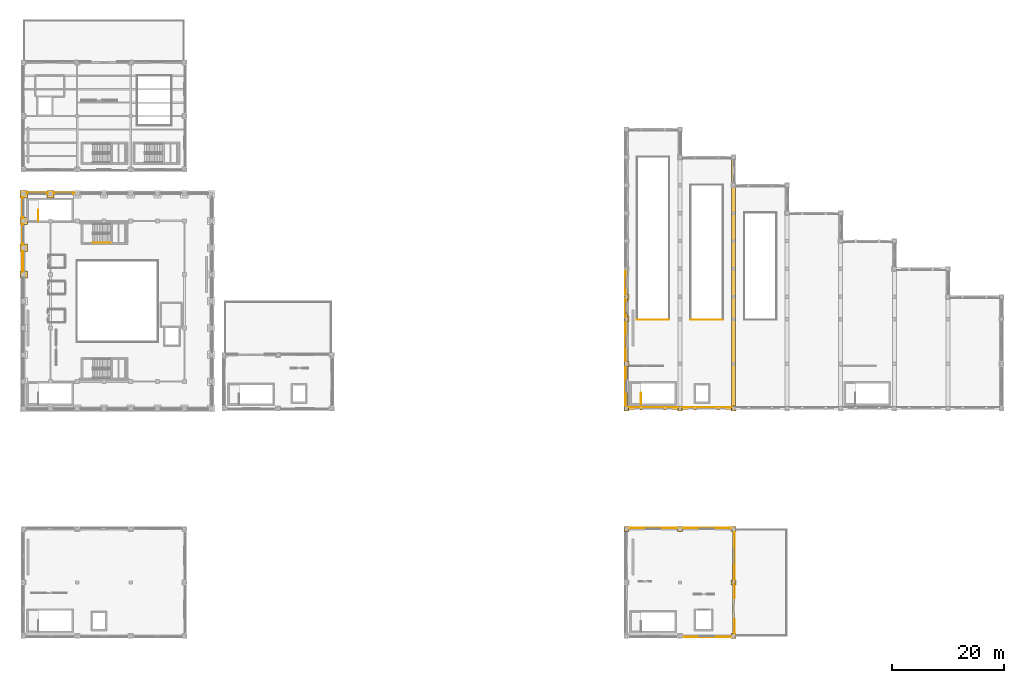
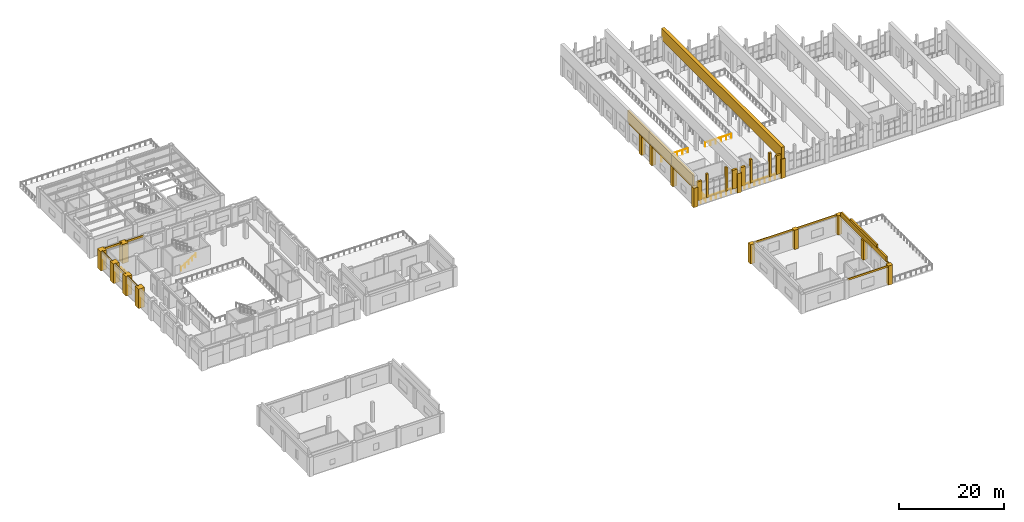
# One storey, part 39 of 46: 45 coverings, 7 railings.
"""IFC4 building model written with IfcOpenShell, lengths in metres."""

import ifcopenshell
import ifcopenshell.guid

model = None  # the IFC model being written
_history = None  # IfcOwnerHistory: only IFC2X3 demands one
_inside = {}  # id of a spatial element -> (the spatial element, [elements in it])
_under = {}  # id of a project, library or spatial element -> (it, [spatial elements below it])
_declared = {}  # id of a project -> (the project, [libraries it declares])
_typed = {}  # id of a type object -> (the type object, [elements of that type])
_made_of = {}  # id of a material, layer set ... -> (it, [elements and type objects made of it])


def new_model(schema):
    """Start an empty IFC model of exactly this schema.

    Asked for "IFC4X3", IfcOpenShell would pick the latest addendum, in which some entities
    have other attributes; the version numbers below select the first issue.
    IFC2X3 requires an IfcOwnerHistory on every rooted entity: one is made here for all.
    """
    global model, _history
    if schema == "IFC4X3":
        model = ifcopenshell.file(schema_version=(4, 3, 0, 0))
    else:
        model = ifcopenshell.file(schema=schema)
    _inside.clear()
    _under.clear()
    _declared.clear()
    _typed.clear()
    _made_of.clear()
    _history = None
    if model.schema == "IFC2X3":
        org = make("IfcOrganization", Name="unknown")
        user = make(
            "IfcPersonAndOrganization",
            ThePerson=make("IfcPerson", FamilyName="unknown"),
            TheOrganization=org,
        )
        app = make(
            "IfcApplication",
            ApplicationDeveloper=org,
            Version="unknown",
            ApplicationFullName="unknown",
            ApplicationIdentifier="unknown",
        )
        _history = make(
            "IfcOwnerHistory",
            OwningUser=user,
            OwningApplication=app,
            ChangeAction="ADDED",
            CreationDate=0,
        )
    return model


def make(cls, **values):
    """One entity of the class cls with the attributes given. An attribute that is None is left unset."""
    return model.create_entity(
        cls, **{name: value for name, value in values.items() if value is not None}
    )


def rooted(cls, **values):
    """An entity with a GlobalId (a new one), such as an element, a storey or a relation."""
    return make(cls, GlobalId=ifcopenshell.guid.new(), OwnerHistory=_history, **values)


def si_unit(unit_type, name, prefix=None):
    """IfcSIUnit, for example si_unit("LENGTHUNIT", "METRE", prefix="MILLI")."""
    return make("IfcSIUnit", UnitType=unit_type, Prefix=prefix, Name=name)


def assignment(units):
    """IfcUnitAssignment: the units of a project."""
    return None if units is None else make("IfcUnitAssignment", Units=units)


def point(xyz):
    """IfcCartesianPoint."""
    return None if xyz is None else make("IfcCartesianPoint", Coordinates=xyz)


def direction(xyz):
    """IfcDirection."""
    return None if xyz is None else make("IfcDirection", DirectionRatios=xyz)


def frame(location, z_axis=None, x_axis=None):
    """IfcAxis2Placement3D, a coordinate frame: its origin and axes. An axis left out is left unset."""
    return make(
        "IfcAxis2Placement3D",
        Location=point(location),
        Axis=direction(z_axis),
        RefDirection=direction(x_axis),
    )


def frame_2d(location, x_axis=None):
    """IfcAxis2Placement2D, a coordinate frame in the plane: its origin and x axis."""
    return make(
        "IfcAxis2Placement2D", Location=point(location), RefDirection=direction(x_axis)
    )


def origin():
    """The frame at (0, 0, 0) with its axes left unset."""
    return frame((0.0, 0.0, 0.0))


def origin_2d():
    """The frame at (0, 0) in the plane with its x axis left unset."""
    return frame_2d((0.0, 0.0))


def place(relative_to, where):
    """IfcLocalPlacement: puts the frame where relative to a parent placement (None: the world)."""
    return make(
        "IfcLocalPlacement", PlacementRelTo=relative_to, RelativePlacement=where
    )


def context(
    kind, dimensions, precision=None, world=None, true_north=None, identifier=None
):
    """IfcGeometricRepresentationContext, for example the 3D "Model" context."""
    return make(
        "IfcGeometricRepresentationContext",
        ContextIdentifier=identifier,
        ContextType=kind,
        CoordinateSpaceDimension=dimensions,
        Precision=precision,
        WorldCoordinateSystem=world,
        TrueNorth=true_north,
    )


def subcontext(parent, identifier, kind, view, scale=None):
    """IfcGeometricRepresentationSubContext, for example "Body" below "Model"."""
    return make(
        "IfcGeometricRepresentationSubContext",
        ContextIdentifier=identifier,
        ContextType=kind,
        ParentContext=parent,
        TargetScale=scale,
        TargetView=view,
    )


def project(units=None, contexts=None):
    """IfcProject with its units and contexts."""
    return rooted(
        "IfcProject",
        Name="project",
        RepresentationContexts=contexts,
        UnitsInContext=assignment(units),
    )


def spatial(cls, under=None, at=None, **own):
    """A site, building, storey or space (cls), placed at a placement, below another one or the project."""
    s = rooted(cls, ObjectPlacement=at, **own)
    if under is not None:
        _under.setdefault(under.id(), (under, []))[1].append(s)
    return s


def polyline(points):
    """IfcPolyline through the points."""
    return make("IfcPolyline", Points=[point(p) for p in points])


def profile(cls, at=None, kind="AREA", **sizes):
    """A parametric profile (cls). Its sizes go by their IFC names, for example OverallWidth=200.0."""
    return make(cls, ProfileType=kind, Position=at, **sizes)


def circle(**sizes):
    """IfcCircleProfileDef."""
    return profile("IfcCircleProfileDef", **sizes)


def outline(outer, holes=None, kind="AREA"):
    """IfcArbitraryClosedProfileDef: a profile drawn as a closed curve; with holes, ...WithVoids."""
    if holes is None:
        return make("IfcArbitraryClosedProfileDef", ProfileType=kind, OuterCurve=outer)
    return make(
        "IfcArbitraryProfileDefWithVoids",
        ProfileType=kind,
        OuterCurve=outer,
        InnerCurves=holes,
    )


def extrude(swept, where, along, depth):
    """IfcExtrudedAreaSolid: the profile swept, set in the frame where, extruded along a direction by depth."""
    return make(
        "IfcExtrudedAreaSolid",
        SweptArea=swept,
        Position=where,
        ExtrudedDirection=direction(along),
        Depth=depth,
    )


def shape(context_of_items, identifier, shape_type, items):
    """IfcShapeRepresentation: the items that make up one representation, for example the "Body"."""
    return make(
        "IfcShapeRepresentation",
        ContextOfItems=context_of_items,
        RepresentationIdentifier=identifier,
        RepresentationType=shape_type,
        Items=items,
    )


def material(Name=None, Category=None):
    """IfcMaterial."""
    return make("IfcMaterial", Name=Name, Category=Category)


def layer(
    of_material, thickness, ventilated=None, Name=None, Category=None, Priority=None
):
    """IfcMaterialLayer: one layer of a wall or slab, of a material (None: an air gap)."""
    return make(
        "IfcMaterialLayer",
        Material=of_material,
        LayerThickness=thickness,
        IsVentilated=ventilated,
        Name=Name,
        Category=Category,
        Priority=Priority,
    )


def layer_set(layers, Name=None):
    """IfcMaterialLayerSet."""
    return make("IfcMaterialLayerSet", MaterialLayers=layers, LayerSetName=Name)


def made_of(thing, what):
    """Note that an element or type object is made of a material, layer set ...; save() writes the relation."""
    if what is not None:
        _made_of.setdefault(what.id(), (what, []))[1].append(thing)
    return thing


def type_object(cls, material=None, **own):
    """A type object (cls), such as IfcWallType, which elements share."""
    return made_of(rooted(cls, **own), material)


def element(
    cls,
    number,
    at=None,
    inside=None,
    cuts=None,
    type_object=None,
    material=None,
    context=None,
    identifier="Body",
    shape_type=None,
    held_by="IfcProductDefinitionShape",
    body=None,
    shapes=None,
    **own,
):
    """One element of the class cls, such as IfcWall. Its Tag is "e" and its number.

    at: its placement. inside: the storey or other place that contains it. cuts: it is an
    opening in that element (IfcRelVoidsElement). A single representation is given by context,
    identifier, shape_type and body (its items); several are given by shapes. held_by: the class
    of the entity that holds the representations. save() writes the other relations.
    """
    e = rooted(cls, Tag="e%d" % number, ObjectPlacement=at, **own)
    if body is not None:
        shapes = [shape(context, identifier, shape_type, body)]
    if shapes is not None:
        e.Representation = make(held_by, Representations=shapes)
    if inside is not None:
        _inside.setdefault(inside.id(), (inside, []))[1].append(e)
    if cuts is not None:
        rooted(
            "IfcRelVoidsElement", RelatingBuildingElement=cuts, RelatedOpeningElement=e
        )
    if type_object is not None:
        _typed.setdefault(type_object.id(), (type_object, []))[1].append(e)
    return made_of(e, material)


def aggregate(whole, parts):
    """IfcRelAggregates: a whole, such as a stair, and the parts it consists of."""
    return rooted("IfcRelAggregates", RelatingObject=whole, RelatedObjects=parts)


def save(model, path):
    """Write the relations noted so far, then the file.

    IfcRelAggregates (storeys below a building ...), IfcRelContainedInSpatialStructure (elements
    in a storey), IfcRelDefinesByType, IfcRelAssociatesMaterial and IfcRelDeclares: one each for
    every whole, place, type object, material and project.
    """
    for whole, parts in _under.values():
        aggregate(whole, parts)
    for where, things in _inside.values():
        rooted(
            "IfcRelContainedInSpatialStructure",
            RelatedElements=things,
            RelatingStructure=where,
        )
    for kind, things in _typed.values():
        rooted("IfcRelDefinesByType", RelatedObjects=things, RelatingType=kind)
    for what, things in _made_of.values():
        rooted("IfcRelAssociatesMaterial", RelatedObjects=things, RelatingMaterial=what)
    for by, libraries in _declared.values():
        rooted("IfcRelDeclares", RelatingContext=by, RelatedDefinitions=libraries)
    model.write(path)


model = new_model("IFC4")

# Units and contexts
model_context = context("Model", 3, precision=1e-05, world=origin(), true_north=direction((0.0, 1.0)))
body_context = subcontext(model_context, "Body", "Model", "MODEL_VIEW")
ifc_project = project(units=[si_unit("LENGTHUNIT", "METRE"), si_unit("AREAUNIT", "SQUARE_METRE"), si_unit("VOLUMEUNIT", "CUBIC_METRE"), si_unit("PLANEANGLEUNIT", "RADIAN"), si_unit("MASSUNIT", "GRAM", prefix="KILO")], contexts=[model_context])

# Site, building, storey
site_placement = place(None, origin())
site = spatial("IfcSite", under=ifc_project, at=site_placement, CompositionType="ELEMENT")
building_placement = place(site_placement, origin())
building = spatial("IfcBuilding", under=site, at=building_placement, Name="Mavantir Sound Aquarium", CompositionType="ELEMENT")
storey_placement = place(building_placement, frame((0.0, 0.0, 15.300048828125)))
storey = spatial("IfcBuildingStorey", under=building, at=storey_placement, Name="L03", CompositionType="ELEMENT", Elevation=15.300048828125)

# Coverings
ifc_material_1 = material(Name="Honed Coral-Limestone & Glazed Terracotta Rainscreen Cladding", Category="masonry")
ifc_layer = layer(ifc_material_1, 0.06005859375, Name="Honed Coral-Limestone & Glazed Terracotta Rainscreen Cladding")
ifc_layer_set = layer_set([ifc_layer], Name="Honed Coral-Limestone & Glazed Terracotta Rainscreen Cladding")
covering_type = type_object("IfcCoveringType", Name="COV-CLAD-TC", PredefinedType="CLADDING", material=ifc_layer_set)
covering_1_placement = place(storey_placement, frame((0.0, 0.0, 4.02490234375)))
element("IfcCovering", 1, at=covering_1_placement, inside=storey, type_object=covering_type, Name="L03 Postmodern coral-limestone spandrel frieze 412", PredefinedType="CLADDING", context=body_context, shape_type="SweptSolid", body=[
    extrude(outline(polyline([(9.217041015625, 79.2900390625), (5.18310546875, 79.2900390625), (5.18310546875, 79.43994140625), (9.217041015625, 79.43994140625), (9.217041015625, 79.2900390625)])), origin(), (0.0, 0.0, 1.0), 0.47509765625),
])
covering_2_placement = place(storey_placement, frame((0.0, 0.0, 4.02490234375)))
element("IfcCovering", 2, at=covering_2_placement, inside=storey, type_object=covering_type, Name="L03 Postmodern coral-limestone spandrel frieze 413", PredefinedType="CLADDING", context=body_context, shape_type="SweptSolid", body=[
    extrude(outline(polyline([(4.4169921875, 79.2900390625), (0.383056640625, 79.2900390625), (0.383056640625, 79.43994140625), (4.4169921875, 79.43994140625), (4.4169921875, 79.2900390625)])), origin(), (0.0, 0.0, 1.0), 0.47509765625),
])
covering_3_placement = place(storey_placement, frame((0.0, 0.0, 4.02490234375)))
element("IfcCovering", 3, at=covering_3_placement, inside=storey, type_object=covering_type, Name="L03 Postmodern coral-limestone spandrel frieze 414", PredefinedType="CLADDING", context=body_context, shape_type="SweptSolid", body=[
    extrude(outline(polyline([(-0.090087890625, 78.81689453125), (-0.090087890625, 74.782958984375), (-0.239990234375, 74.782958984375), (-0.239990234375, 78.81689453125), (-0.090087890625, 78.81689453125)])), origin(), (0.0, 0.0, 1.0), 0.47509765625),
])
covering_4_placement = place(storey_placement, frame((0.0, 0.0, 4.02490234375)))
element("IfcCovering", 4, at=covering_4_placement, inside=storey, type_object=covering_type, Name="L03 Postmodern coral-limestone spandrel frieze 415", PredefinedType="CLADDING", context=body_context, shape_type="SweptSolid", body=[
    extrude(outline(polyline([(-0.090087890625, 74.01708984375), (-0.090087890625, 69.98291015625), (-0.239990234375, 69.98291015625), (-0.239990234375, 74.01708984375), (-0.090087890625, 74.01708984375)])), origin(), (0.0, 0.0, 1.0), 0.47509765625),
])
covering_5_placement = place(storey_placement, frame((0.0, 0.0, 4.02490234375)))
element("IfcCovering", 5, at=covering_5_placement, inside=storey, type_object=covering_type, Name="L03 Postmodern coral-limestone spandrel frieze 416", PredefinedType="CLADDING", context=body_context, shape_type="SweptSolid", body=[
    extrude(outline(polyline([(-0.090087890625, 69.217041015625), (-0.090087890625, 65.18310546875), (-0.239990234375, 65.18310546875), (-0.239990234375, 69.217041015625), (-0.090087890625, 69.217041015625)])), origin(), (0.0, 0.0, 1.0), 0.47509765625),
])
covering_6_placement = place(storey_placement, frame((0.0, 0.0, 4.10986328125)))
element("IfcCovering", 6, at=covering_6_placement, inside=storey, type_object=covering_type, Name="L03 Postmodern coral-limestone spandrel frieze 457", PredefinedType="CLADDING", context=body_context, shape_type="SweptSolid", body=[
    extrude(outline(polyline([(107.909912109375, 65.491943359375), (107.909912109375, 61.10791015625), (107.760009765625, 61.10791015625), (107.760009765625, 65.491943359375), (107.909912109375, 65.491943359375)])), origin(), (0.0, 0.0, 1.0), 0.39013671875),
])
covering_7_placement = place(storey_placement, frame((0.0, 0.0, 4.10986328125)))
element("IfcCovering", 7, at=covering_7_placement, inside=storey, type_object=covering_type, Name="L03 Postmodern coral-limestone spandrel frieze 458", PredefinedType="CLADDING", context=body_context, shape_type="SweptSolid", body=[
    extrude(outline(polyline([(107.909912109375, 60.491943359375), (107.909912109375, 57.10791015625), (107.760009765625, 57.10791015625), (107.760009765625, 60.491943359375), (107.909912109375, 60.491943359375)])), origin(), (0.0, 0.0, 1.0), 0.39013671875),
])
covering_8_placement = place(storey_placement, frame((0.0, 0.0, 4.10986328125)))
element("IfcCovering", 8, at=covering_8_placement, inside=storey, type_object=covering_type, Name="L03 Postmodern coral-limestone spandrel frieze 459", PredefinedType="CLADDING", context=body_context, shape_type="SweptSolid", body=[
    extrude(outline(polyline([(107.909912109375, 56.491943359375), (107.909912109375, 49.10791015625), (107.760009765625, 49.10791015625), (107.760009765625, 56.491943359375), (107.909912109375, 56.491943359375)])), origin(), (0.0, 0.0, 1.0), 0.39013671875),
])
covering_9_placement = place(storey_placement, frame((0.0, 0.0, 4.10986328125)))
element("IfcCovering", 9, at=covering_9_placement, inside=storey, type_object=covering_type, Name="L03 Postmodern coral-limestone spandrel frieze 460", PredefinedType="CLADDING", context=body_context, shape_type="SweptSolid", body=[
    extrude(outline(polyline([(107.909912109375, 48.491943359375), (107.909912109375, 41.10791015625), (107.760009765625, 41.10791015625), (107.760009765625, 48.491943359375), (107.909912109375, 48.491943359375)])), origin(), (0.0, 0.0, 1.0), 0.39013671875),
])
covering_10_placement = place(storey_placement, frame((0.0, 0.0, 4.070556640625)))
element("IfcCovering", 10, at=covering_10_placement, inside=storey, type_object=covering_type, Name="L03 Postmodern coral-limestone spandrel frieze 475", PredefinedType="CLADDING", context=body_context, shape_type="SweptSolid", body=[
    extrude(outline(polyline([(127.2900390625, 0.30810546875), (127.2900390625, 2.9951171875), (127.43994140625, 2.9951171875), (127.43994140625, 0.30810546875), (127.2900390625, 0.30810546875)])), origin(), (0.0, 0.0, 1.0), 0.429443359375),
])
covering_11_placement = place(storey_placement, frame((0.0, 0.0, 4.096435546875)))
element("IfcCovering", 11, at=covering_11_placement, inside=storey, type_object=covering_type, Name="L03 Postmodern coral-limestone spandrel frieze 476", PredefinedType="CLADDING", context=body_context, shape_type="SweptSolid", body=[
    extrude(outline(polyline([(127.2900390625, 6.804931640625), (127.2900390625, 9.2919921875), (127.43994140625, 9.2919921875), (127.43994140625, 6.804931640625), (127.2900390625, 6.804931640625)])), origin(), (0.0, 0.0, 1.0), 0.403564453125),
])
covering_12_placement = place(storey_placement, frame((0.0, 0.0, 4.070556640625)))
element("IfcCovering", 12, at=covering_12_placement, inside=storey, type_object=covering_type, Name="L03 Postmodern coral-limestone spandrel frieze 477", PredefinedType="CLADDING", context=body_context, shape_type="SweptSolid", body=[
    extrude(outline(polyline([(127.2900390625, 9.907958984375), (127.2900390625, 18.89208984375), (127.43994140625, 18.89208984375), (127.43994140625, 9.907958984375), (127.2900390625, 9.907958984375)])), origin(), (0.0, 0.0, 1.0), 0.429443359375),
])
covering_13_placement = place(storey_placement, frame((0.0, 0.0, 4.070556640625)))
element("IfcCovering", 13, at=covering_13_placement, inside=storey, type_object=covering_type, Name="L03 Postmodern coral-limestone spandrel frieze 478", PredefinedType="CLADDING", context=body_context, shape_type="SweptSolid", body=[
    extrude(outline(polyline([(126.89208984375, 19.2900390625), (117.907958984375, 19.2900390625), (117.907958984375, 19.43994140625), (126.89208984375, 19.43994140625), (126.89208984375, 19.2900390625)])), origin(), (0.0, 0.0, 1.0), 0.429443359375),
])
covering_14_placement = place(storey_placement, frame((0.0, 0.0, 4.070556640625)))
element("IfcCovering", 14, at=covering_14_placement, inside=storey, type_object=covering_type, Name="L03 Postmodern coral-limestone spandrel frieze 479", PredefinedType="CLADDING", context=body_context, shape_type="SweptSolid", body=[
    extrude(outline(polyline([(117.2919921875, 19.2900390625), (108.30810546875, 19.2900390625), (108.30810546875, 19.43994140625), (117.2919921875, 19.43994140625), (117.2919921875, 19.2900390625)])), origin(), (0.0, 0.0, 1.0), 0.429443359375),
])
covering_15_placement = place(storey_placement, frame((0.0, 0.0, 4.070556640625)))
element("IfcCovering", 15, at=covering_15_placement, inside=storey, type_object=covering_type, Name="L03 Postmodern coral-limestone spandrel frieze 483", PredefinedType="CLADDING", context=body_context, shape_type="SweptSolid", body=[
    extrude(outline(polyline([(117.907958984375, -0.090087890625), (126.89208984375, -0.090087890625), (126.89208984375, -0.239990234375), (117.907958984375, -0.239990234375), (117.907958984375, -0.090087890625)])), origin(), (0.0, 0.0, 1.0), 0.429443359375),
])
covering_16_placement = place(storey_placement, origin())
element("IfcCovering", 16, at=covering_16_placement, inside=storey, type_object=covering_type, Name="L03 Postmodern coral-limestone pilaster casing 24", PredefinedType="CLADDING", context=body_context, shape_type="SweptSolid", body=[
    extrude(outline(polyline([(-0.64990234375, 64.14990234375), (0.64990234375, 64.14990234375), (0.64990234375, 65.449951171875), (-0.64990234375, 65.449951171875), (-0.64990234375, 64.14990234375)])), origin(), (0.0, 0.0, 1.0), 4.5),
])
covering_17_placement = place(storey_placement, origin())
element("IfcCovering", 17, at=covering_17_placement, inside=storey, type_object=covering_type, Name="L03 Postmodern coral-limestone pilaster casing 28", PredefinedType="CLADDING", context=body_context, shape_type="SweptSolid", body=[
    extrude(outline(polyline([(-0.64990234375, 68.949951171875), (0.64990234375, 68.949951171875), (0.64990234375, 70.25), (-0.64990234375, 70.25), (-0.64990234375, 68.949951171875)])), origin(), (0.0, 0.0, 1.0), 4.5),
])
covering_18_placement = place(storey_placement, origin())
element("IfcCovering", 18, at=covering_18_placement, inside=storey, type_object=covering_type, Name="L03 Postmodern coral-limestone pilaster casing 32", PredefinedType="CLADDING", context=body_context, shape_type="SweptSolid", body=[
    extrude(outline(polyline([(-0.64990234375, 73.75), (0.64990234375, 73.75), (0.64990234375, 75.050048828125), (-0.64990234375, 75.050048828125), (-0.64990234375, 73.75)])), origin(), (0.0, 0.0, 1.0), 4.5),
])
covering_19_placement = place(storey_placement, origin())
element("IfcCovering", 19, at=covering_19_placement, inside=storey, type_object=covering_type, Name="L03 Postmodern coral-limestone pilaster casing 36", PredefinedType="CLADDING", context=body_context, shape_type="SweptSolid", body=[
    extrude(outline(polyline([(-0.64990234375, 78.550048828125), (0.64990234375, 78.550048828125), (0.64990234375, 79.85009765625), (-0.64990234375, 79.85009765625), (-0.64990234375, 78.550048828125)])), origin(), (0.0, 0.0, 1.0), 4.5),
])
covering_20_placement = place(storey_placement, origin())
element("IfcCovering", 20, at=covering_20_placement, inside=storey, type_object=covering_type, Name="L03 Postmodern coral-limestone pilaster casing 44", PredefinedType="CLADDING", context=body_context, shape_type="SweptSolid", body=[
    extrude(outline(polyline([(4.14990234375, 78.550048828125), (5.449951171875, 78.550048828125), (5.449951171875, 79.85009765625), (4.14990234375, 79.85009765625), (4.14990234375, 78.550048828125)])), origin(), (0.0, 0.0, 1.0), 4.5),
])
covering_21_placement = place(storey_placement, origin())
element("IfcCovering", 21, at=covering_21_placement, inside=storey, type_object=covering_type, Name="L03 Postmodern coral-limestone pilaster casing 230", PredefinedType="CLADDING", context=body_context, shape_type="SweptSolid", body=[
    extrude(outline(polyline([(107.5400390625, 40.340087890625), (108.4599609375, 40.340087890625), (108.4599609375, 41.260009765625), (107.5400390625, 41.260009765625), (107.5400390625, 40.340087890625)])), origin(), (0.0, 0.0, 1.0), 4.5),
])
covering_22_placement = place(storey_placement, origin())
element("IfcCovering", 22, at=covering_22_placement, inside=storey, type_object=covering_type, Name="L03 Postmodern coral-limestone pilaster casing 232", PredefinedType="CLADDING", context=body_context, shape_type="SweptSolid", body=[
    extrude(outline(polyline([(107.5400390625, 48.340087890625), (108.4599609375, 48.340087890625), (108.4599609375, 49.260009765625), (107.5400390625, 49.260009765625), (107.5400390625, 48.340087890625)])), origin(), (0.0, 0.0, 1.0), 4.5),
])
covering_23_placement = place(storey_placement, origin())
element("IfcCovering", 23, at=covering_23_placement, inside=storey, type_object=covering_type, Name="L03 Postmodern coral-limestone pilaster casing 234", PredefinedType="CLADDING", context=body_context, shape_type="SweptSolid", body=[
    extrude(outline(polyline([(107.5400390625, 56.340087890625), (108.4599609375, 56.340087890625), (108.4599609375, 57.260009765625), (107.5400390625, 57.260009765625), (107.5400390625, 56.340087890625)])), origin(), (0.0, 0.0, 1.0), 4.5),
])
covering_24_placement = place(storey_placement, origin())
element("IfcCovering", 24, at=covering_24_placement, inside=storey, type_object=covering_type, Name="L03 Postmodern coral-limestone pilaster casing 236", PredefinedType="CLADDING", context=body_context, shape_type="SweptSolid", body=[
    extrude(outline(polyline([(107.5400390625, 60.340087890625), (108.4599609375, 60.340087890625), (108.4599609375, 61.260009765625), (107.5400390625, 61.260009765625), (107.5400390625, 60.340087890625)])), origin(), (0.0, 0.0, 1.0), 4.5),
])
covering_25_placement = place(storey_placement, origin())
element("IfcCovering", 25, at=covering_25_placement, inside=storey, type_object=covering_type, Name="L03 Postmodern coral-limestone pilaster casing 254", PredefinedType="CLADDING", context=body_context, shape_type="SweptSolid", body=[
    extrude(outline(polyline([(117.139892578125, 40.340087890625), (118.06005859375, 40.340087890625), (118.06005859375, 41.260009765625), (117.139892578125, 41.260009765625), (117.139892578125, 40.340087890625)])), origin(), (0.0, 0.0, 1.0), 4.5),
])
covering_26_placement = place(storey_placement, origin())
element("IfcCovering", 26, at=covering_26_placement, inside=storey, type_object=covering_type, Name="L03 Postmodern coral-limestone pilaster casing 266", PredefinedType="CLADDING", context=body_context, shape_type="SweptSolid", body=[
    extrude(outline(polyline([(126.739990234375, 40.340087890625), (127.659912109375, 40.340087890625), (127.659912109375, 41.260009765625), (126.739990234375, 41.260009765625), (126.739990234375, 40.340087890625)])), origin(), (0.0, 0.0, 1.0), 4.5),
])
covering_27_placement = place(storey_placement, origin())
element("IfcCovering", 27, at=covering_27_placement, inside=storey, type_object=covering_type, Name="L03 Postmodern coral-limestone pilaster casing 428", PredefinedType="CLADDING", context=body_context, shape_type="SweptSolid", body=[
    extrude(outline(polyline([(107.5400390625, 18.739990234375), (108.4599609375, 18.739990234375), (108.4599609375, 19.659912109375), (107.5400390625, 19.659912109375), (107.5400390625, 18.739990234375)])), origin(), (0.0, 0.0, 1.0), 4.5),
])
covering_28_placement = place(storey_placement, origin())
element("IfcCovering", 28, at=covering_28_placement, inside=storey, type_object=covering_type, Name="L03 Postmodern coral-limestone pilaster casing 436", PredefinedType="CLADDING", context=body_context, shape_type="SweptSolid", body=[
    extrude(outline(polyline([(117.139892578125, 18.739990234375), (118.06005859375, 18.739990234375), (118.06005859375, 19.659912109375), (117.139892578125, 19.659912109375), (117.139892578125, 18.739990234375)])), origin(), (0.0, 0.0, 1.0), 4.5),
])
covering_29_placement = place(storey_placement, origin())
element("IfcCovering", 29, at=covering_29_placement, inside=storey, type_object=covering_type, Name="L03 Postmodern coral-limestone pilaster casing 441", PredefinedType="CLADDING", context=body_context, shape_type="SweptSolid", body=[
    extrude(outline(polyline([(126.739990234375, -0.4599609375), (127.659912109375, -0.4599609375), (127.659912109375, 0.4599609375), (126.739990234375, 0.4599609375), (126.739990234375, -0.4599609375)])), origin(), (0.0, 0.0, 1.0), 4.5),
])
covering_30_placement = place(storey_placement, origin())
element("IfcCovering", 30, at=covering_30_placement, inside=storey, type_object=covering_type, Name="L03 Postmodern coral-limestone pilaster casing 442", PredefinedType="CLADDING", context=body_context, shape_type="SweptSolid", body=[
    extrude(outline(polyline([(126.739990234375, 9.139892578125), (127.659912109375, 9.139892578125), (127.659912109375, 10.06005859375), (126.739990234375, 10.06005859375), (126.739990234375, 9.139892578125)])), origin(), (0.0, 0.0, 1.0), 4.5),
])
covering_31_placement = place(storey_placement, origin())
element("IfcCovering", 31, at=covering_31_placement, inside=storey, type_object=covering_type, Name="L03 Postmodern coral-limestone pilaster casing 445", PredefinedType="CLADDING", context=body_context, shape_type="SweptSolid", body=[
    extrude(outline(polyline([(126.739990234375, 18.739990234375), (127.659912109375, 18.739990234375), (127.659912109375, 19.659912109375), (126.739990234375, 19.659912109375), (126.739990234375, 18.739990234375)])), origin(), (0.0, 0.0, 1.0), 4.5),
])
covering_32_placement = place(storey_placement, frame((0.0, 0.0, 4.5)))
element("IfcCovering", 32, at=covering_32_placement, inside=storey, type_object=covering_type, Name="V4 scalloped ridge coral-limestone frieze W.4", PredefinedType="CLADDING", context=body_context, shape_type="SweptSolid", body=[
    extrude(outline(polyline([(107.780029296875, 57.44677734375), (108.219970703125, 57.44677734375), (108.219970703125, 66.02001953125), (107.780029296875, 66.02001953125), (107.780029296875, 57.44677734375)])), origin(), (0.0, 0.0, 1.0), 2.5),
])
covering_33_placement = place(storey_placement, frame((0.0, 0.0, 4.5)))
element("IfcCovering", 33, at=covering_33_placement, inside=storey, type_object=covering_type, Name="V4 scalloped ridge coral-limestone frieze W.5", PredefinedType="CLADDING", context=body_context, shape_type="SweptSolid", body=[
    extrude(outline(polyline([(107.780029296875, 49.313232421875), (108.219970703125, 49.313232421875), (108.219970703125, 57.88671875), (107.780029296875, 57.88671875), (107.780029296875, 49.313232421875)])), origin(), (0.0, 0.0, 1.0), 2.5),
])
covering_34_placement = place(storey_placement, frame((0.0, 0.0, 4.5)))
element("IfcCovering", 34, at=covering_34_placement, inside=storey, type_object=covering_type, Name="V4 scalloped ridge coral-limestone frieze W.6", PredefinedType="CLADDING", context=body_context, shape_type="SweptSolid", body=[
    extrude(outline(polyline([(107.780029296875, 41.179931640625), (108.219970703125, 41.179931640625), (108.219970703125, 49.75341796875), (107.780029296875, 49.75341796875), (107.780029296875, 41.179931640625)])), origin(), (0.0, 0.0, 1.0), 2.5),
])
covering_35_placement = place(storey_placement, frame((0.0, 0.0, 4.5)))
element("IfcCovering", 35, at=covering_35_placement, inside=storey, type_object=covering_type, Name="V4 scalloped straight ridge limestone casing 3", PredefinedType="CLADDING", context=body_context, shape_type="SweptSolid", body=[
    extrude(outline(polyline([(126.840087890625, 40.449951171875), (127.56005859375, 40.449951171875), (127.56005859375, 86.14990234375), (126.840087890625, 86.14990234375), (126.840087890625, 40.449951171875)])), origin(), (0.0, 0.0, 1.0), 2.679931640625),
])
covering_36_placement = place(storey_placement, frame((0.0, 0.0, 1.119873046875)))
element("IfcCovering", 36, at=covering_36_placement, inside=storey, type_object=covering_type, Name="Scalloped bay 1 S Diocletian stone mullion ML", PredefinedType="CLADDING", context=body_context, shape_type="SweptSolid", body=[
    extrude(outline(polyline([(110.47998046875, 40.56005859375), (110.919921875, 40.56005859375), (110.919921875, 41.0400390625), (110.47998046875, 41.0400390625), (110.47998046875, 40.56005859375)])), origin(), (0.0, 0.0, 1.0), 5.49072265625),
])
covering_37_placement = place(storey_placement, frame((0.0, 0.0, 1.119873046875)))
element("IfcCovering", 37, at=covering_37_placement, inside=storey, type_object=covering_type, Name="Scalloped bay 1 S Diocletian stone mullion MR", PredefinedType="CLADDING", context=body_context, shape_type="SweptSolid", body=[
    extrude(outline(polyline([(114.679931640625, 40.56005859375), (115.1201171875, 40.56005859375), (115.1201171875, 41.0400390625), (114.679931640625, 41.0400390625), (114.679931640625, 40.56005859375)])), origin(), (0.0, 0.0, 1.0), 5.49072265625),
])
covering_38_placement = place(storey_placement, frame((0.0, 0.0, 1.119873046875)))
element("IfcCovering", 38, at=covering_38_placement, inside=storey, type_object=covering_type, Name="Scalloped bay 1 S Diocletian haunch spandrel HL", PredefinedType="CLADDING", context=body_context, shape_type="SweptSolid", body=[
    extrude(outline(polyline([(108.35009765625, 40.580078125), (109.419921875, 40.580078125), (109.419921875, 41.02001953125), (108.35009765625, 41.02001953125), (108.35009765625, 40.580078125)])), origin(), (0.0, 0.0, 1.0), 4.379638671875),
])
covering_39_placement = place(storey_placement, frame((0.0, 0.0, 1.119873046875)))
element("IfcCovering", 39, at=covering_39_placement, inside=storey, type_object=covering_type, Name="Scalloped bay 1 S Diocletian haunch spandrel HR", PredefinedType="CLADDING", context=body_context, shape_type="SweptSolid", body=[
    extrude(outline(polyline([(116.179931640625, 40.580078125), (117.25, 40.580078125), (117.25, 41.02001953125), (116.179931640625, 41.02001953125), (116.179931640625, 40.580078125)])), origin(), (0.0, 0.0, 1.0), 4.379638671875),
])
covering_40_placement = place(storey_placement, frame((0.0, 0.0, 1.119873046875)))
element("IfcCovering", 40, at=covering_40_placement, inside=storey, type_object=covering_type, Name="Scalloped bay 2 S Diocletian stone mullion ML", PredefinedType="CLADDING", context=body_context, shape_type="SweptSolid", body=[
    extrude(outline(polyline([(120.080078125, 40.56005859375), (120.52001953125, 40.56005859375), (120.52001953125, 41.0400390625), (120.080078125, 41.0400390625), (120.080078125, 40.56005859375)])), origin(), (0.0, 0.0, 1.0), 5.49072265625),
])
covering_41_placement = place(storey_placement, frame((0.0, 0.0, 1.119873046875)))
element("IfcCovering", 41, at=covering_41_placement, inside=storey, type_object=covering_type, Name="Scalloped bay 2 S Diocletian stone mullion MR", PredefinedType="CLADDING", context=body_context, shape_type="SweptSolid", body=[
    extrude(outline(polyline([(124.280029296875, 40.56005859375), (124.719970703125, 40.56005859375), (124.719970703125, 41.0400390625), (124.280029296875, 41.0400390625), (124.280029296875, 40.56005859375)])), origin(), (0.0, 0.0, 1.0), 5.49072265625),
])
covering_42_placement = place(storey_placement, frame((0.0, 0.0, 1.119873046875)))
element("IfcCovering", 42, at=covering_42_placement, inside=storey, type_object=covering_type, Name="Scalloped bay 2 S Diocletian haunch spandrel HL", PredefinedType="CLADDING", context=body_context, shape_type="SweptSolid", body=[
    extrude(outline(polyline([(117.949951171875, 40.580078125), (119.02001953125, 40.580078125), (119.02001953125, 41.02001953125), (117.949951171875, 41.02001953125), (117.949951171875, 40.580078125)])), origin(), (0.0, 0.0, 1.0), 4.379638671875),
])
covering_43_placement = place(storey_placement, frame((0.0, 0.0, 1.119873046875)))
element("IfcCovering", 43, at=covering_43_placement, inside=storey, type_object=covering_type, Name="Scalloped bay 2 S Diocletian haunch spandrel HR", PredefinedType="CLADDING", context=body_context, shape_type="SweptSolid", body=[
    extrude(outline(polyline([(125.780029296875, 40.580078125), (126.85009765625, 40.580078125), (126.85009765625, 41.02001953125), (125.780029296875, 41.02001953125), (125.780029296875, 40.580078125)])), origin(), (0.0, 0.0, 1.0), 4.379638671875),
])
covering_44_placement = place(storey_placement, frame((0.0, 0.0, 4.5)))
element("IfcCovering", 44, at=covering_44_placement, inside=storey, type_object=covering_type, Name="L03 Postmodern coral-limestone tympanum closure V6-TYM-E1", PredefinedType="CLADDING", context=body_context, shape_type="SweptSolid", body=[
    extrude(outline(polyline([(127.02001953125, 1.0), (127.3798828125, 1.0), (127.3798828125, 18.199951171875), (127.02001953125, 18.199951171875), (127.02001953125, 1.0)])), origin(), (0.0, 0.0, 1.0), 1.099853515625),
])
covering_45_placement = place(storey_placement, frame((0.0, 0.0, 5.599853515625)))
element("IfcCovering", 45, at=covering_45_placement, inside=storey, type_object=covering_type, Name="L03 Postmodern coral-limestone tympanum closure V6-TYM-E2", PredefinedType="CLADDING", context=body_context, shape_type="SweptSolid", body=[
    extrude(outline(polyline([(127.02001953125, 4.60009765625), (127.3798828125, 4.60009765625), (127.3798828125, 14.60009765625), (127.02001953125, 14.60009765625), (127.02001953125, 4.60009765625)])), origin(), (0.0, 0.0, 1.0), 0.650146484375),
])

# Railings
ifc_material_2 = material(Name="Stainless Steel 316 and Laminated Glass Guardrail", Category="steel")
railing_type_1 = type_object("IfcRailingType", Name="RL-GUARD-110", PredefinedType="GUARDRAIL", material=ifc_material_2)
for number, where, name in (
    (46, (108.320068359375, 41.02001953125, 0.0), "L03 scalloped bay 1 S lunette gallery guardrail"),
    (47, (117.919921875, 41.02001953125, 0.0), "L03 scalloped bay 2 S lunette gallery guardrail"),
):
    element("IfcRailing", number, at=place(storey_placement, frame(where)), inside=storey, type_object=railing_type_1, Name=name, PredefinedType="GUARDRAIL", context=body_context, shape_type="SweptSolid", body=[
        extrude(circle(Radius=0.02392578125, at=origin_2d()), frame((0.0, 0.0, 1.076171875), z_axis=(1.0, 0.0, 0.0), x_axis=(0.0, 1.0, 0.0)), (0.0, 0.0, 1.0), 8.9599609375),
        extrude(circle(Radius=0.02099609375, at=origin_2d()), origin(), (0.0, 0.0, 1.0), 1.052001953125),
        extrude(circle(Radius=0.02099609375, at=origin_2d()), frame((1.1201171875, 0.0, 0.0)), (0.0, 0.0, 1.0), 1.052001953125),
        extrude(circle(Radius=0.02099609375, at=origin_2d()), frame((2.239990234375, 0.0, 0.0)), (0.0, 0.0, 1.0), 1.052001953125),
        extrude(circle(Radius=0.02099609375, at=origin_2d()), frame((3.35986328125, 0.0, 0.0)), (0.0, 0.0, 1.0), 1.052001953125),
        extrude(circle(Radius=0.02099609375, at=origin_2d()), frame((4.47998046875, 0.0, 0.0)), (0.0, 0.0, 1.0), 1.052001953125),
        extrude(circle(Radius=0.02099609375, at=origin_2d()), frame((5.60009765625, 0.0, 0.0)), (0.0, 0.0, 1.0), 1.052001953125),
        extrude(circle(Radius=0.02099609375, at=origin_2d()), frame((6.719970703125, 0.0, 0.0)), (0.0, 0.0, 1.0), 1.052001953125),
        extrude(circle(Radius=0.02099609375, at=origin_2d()), frame((7.83984375, 0.0, 0.0)), (0.0, 0.0, 1.0), 1.052001953125),
        extrude(circle(Radius=0.02099609375, at=origin_2d()), frame((8.9599609375, 0.0, 0.0)), (0.0, 0.0, 1.0), 1.052001953125),
    ])
railing_1_placement = place(storey_placement, frame((109.89990234375, 56.699951171875, 0.0)))
element("IfcRailing", 48, at=railing_1_placement, inside=storey, type_object=railing_type_1, Name="L03 atrium void S guardrail 151", PredefinedType="GUARDRAIL", context=body_context, shape_type="SweptSolid", body=[
    extrude(circle(Radius=0.02392578125, at=origin_2d()), frame((0.0, 0.0, 1.076171875), z_axis=(1.0, 0.0, 0.0), x_axis=(0.0, 1.0, 0.0)), (0.0, 0.0, 1.0), 5.72021484375),
    extrude(circle(Radius=0.02099609375, at=origin_2d()), origin(), (0.0, 0.0, 1.0), 1.052001953125),
    extrude(circle(Radius=0.02099609375, at=origin_2d()), frame((1.14404296875, 0.0, 0.0)), (0.0, 0.0, 1.0), 1.052001953125),
    extrude(circle(Radius=0.02099609375, at=origin_2d()), frame((2.2880859375, 0.0, 0.0)), (0.0, 0.0, 1.0), 1.052001953125),
    extrude(circle(Radius=0.02099609375, at=origin_2d()), frame((3.43212890625, 0.0, 0.0)), (0.0, 0.0, 1.0), 1.052001953125),
    extrude(circle(Radius=0.02099609375, at=origin_2d()), frame((4.576171875, 0.0, 0.0)), (0.0, 0.0, 1.0), 1.052001953125),
    extrude(circle(Radius=0.02099609375, at=origin_2d()), frame((5.72021484375, 0.0, 0.0)), (0.0, 0.0, 1.0), 1.052001953125),
])
railing_2_placement = place(storey_placement, frame((119.5, 56.699951171875, 0.0)))
element("IfcRailing", 49, at=railing_2_placement, inside=storey, type_object=railing_type_1, Name="L03 atrium void S guardrail 155", PredefinedType="GUARDRAIL", context=body_context, shape_type="SweptSolid", body=[
    extrude(circle(Radius=0.02392578125, at=origin_2d()), frame((0.0, 0.0, 1.076171875), z_axis=(1.0, 0.0, 0.0), x_axis=(0.0, 1.0, 0.0)), (0.0, 0.0, 1.0), 5.719970703125),
    extrude(circle(Radius=0.02099609375, at=origin_2d()), origin(), (0.0, 0.0, 1.0), 1.052001953125),
    extrude(circle(Radius=0.02099609375, at=origin_2d()), frame((1.14404296875, 0.0, 0.0)), (0.0, 0.0, 1.0), 1.052001953125),
    extrude(circle(Radius=0.02099609375, at=origin_2d()), frame((2.2880859375, 0.0, 0.0)), (0.0, 0.0, 1.0), 1.052001953125),
    extrude(circle(Radius=0.02099609375, at=origin_2d()), frame((3.431884765625, 0.0, 0.0)), (0.0, 0.0, 1.0), 1.052001953125),
    extrude(circle(Radius=0.02099609375, at=origin_2d()), frame((4.575927734375, 0.0, 0.0)), (0.0, 0.0, 1.0), 1.052001953125),
    extrude(circle(Radius=0.02099609375, at=origin_2d()), frame((5.719970703125, 0.0, 0.0)), (0.0, 0.0, 1.0), 1.052001953125),
])
railing_3_placement = place(storey_placement, frame((2.60009765625, 74.39990234375, 0.0)))
element("IfcRailing", 50, at=railing_3_placement, inside=storey, type_object=railing_type_1, Name="L03 ST2 top well guard 1", PredefinedType="GUARDRAIL", context=body_context, shape_type="SweptSolid", body=[
    extrude(circle(Radius=0.02392578125, at=origin_2d()), frame((0.0, 0.0, 1.076171875), z_axis=(0.0, 1.0, 0.0), x_axis=(-1.0, 0.0, 0.0)), (0.0, 0.0, 1.0), 1.9501953125),
    extrude(circle(Radius=0.02099609375, at=origin_2d()), origin(), (0.0, 0.0, 1.0), 1.052001953125),
    extrude(circle(Radius=0.02099609375, at=origin_2d()), frame((0.0, 0.97509765625, 0.0)), (0.0, 0.0, 1.0), 1.052001953125),
    extrude(circle(Radius=0.02099609375, at=origin_2d()), frame((0.0, 1.9501953125, 0.0)), (0.0, 0.0, 1.0), 1.052001953125),
])
railing_4_placement = place(storey_placement, frame((110.60009765625, 41.60009765625, 0.0)))
element("IfcRailing", 51, at=railing_4_placement, inside=storey, type_object=railing_type_1, Name="L03 ST4 top well guard 1", PredefinedType="GUARDRAIL", context=body_context, shape_type="SweptSolid", body=[
    extrude(circle(Radius=0.02392578125, at=origin_2d()), frame((0.0, 0.0, 1.076171875), z_axis=(0.0, 1.0, 0.0), x_axis=(-1.0, 0.0, 0.0)), (0.0, 0.0, 1.0), 1.949951171875),
    extrude(circle(Radius=0.02099609375, at=origin_2d()), origin(), (0.0, 0.0, 1.0), 1.052001953125),
    extrude(circle(Radius=0.02099609375, at=origin_2d()), frame((0.0, 0.97509765625, 0.0)), (0.0, 0.0, 1.0), 1.052001953125),
    extrude(circle(Radius=0.02099609375, at=origin_2d()), frame((0.0, 1.949951171875, 0.0)), (0.0, 0.0, 1.0), 1.052001953125),
])
ifc_material_3 = material(Name="Brushed Stainless Steel 316 Handrail", Category="steel")
railing_type_2 = type_object("IfcRailingType", Name="RL-HR-90", PredefinedType="HANDRAIL", material=ifc_material_3)
railing_5_placement = place(storey_placement, frame((12.39990234375, 70.5, 0.37255859375)))
element("IfcRailing", 52, at=railing_5_placement, inside=storey, type_object=railing_type_2, Name="L03 ST10 stair handrail 1", PredefinedType="HANDRAIL", context=body_context, shape_type="SweptSolid", body=[
    extrude(circle(Radius=0.02392578125, at=origin_2d()), frame((0.0, 0.0, 0.89111328125), z_axis=(0.839778728322, 0.0, 0.542928805147), x_axis=(0.0, 1.0, 0.0)), (0.0, 0.0, 1.0), 3.798828125),
    extrude(circle(Radius=0.02099609375, at=origin_2d()), origin(), (0.0, 0.0, 1.0), 0.866943359375),
    extrude(circle(Radius=0.02099609375, at=origin_2d()), frame((0.797607421875, 0.0, 0.515625)), (0.0, 0.0, 1.0), 0.866943359375),
    extrude(circle(Radius=0.02099609375, at=origin_2d()), frame((1.59521484375, 0.0, 1.03125)), (0.0, 0.0, 1.0), 0.866943359375),
    extrude(circle(Radius=0.02099609375, at=origin_2d()), frame((2.392578125, 0.0, 1.546875)), (0.0, 0.0, 1.0), 0.866943359375),
    extrude(circle(Radius=0.02099609375, at=origin_2d()), frame((3.190185546875, 0.0, 2.0625)), (0.0, 0.0, 1.0), 0.866943359375),
])

save(model, "model.ifc")
